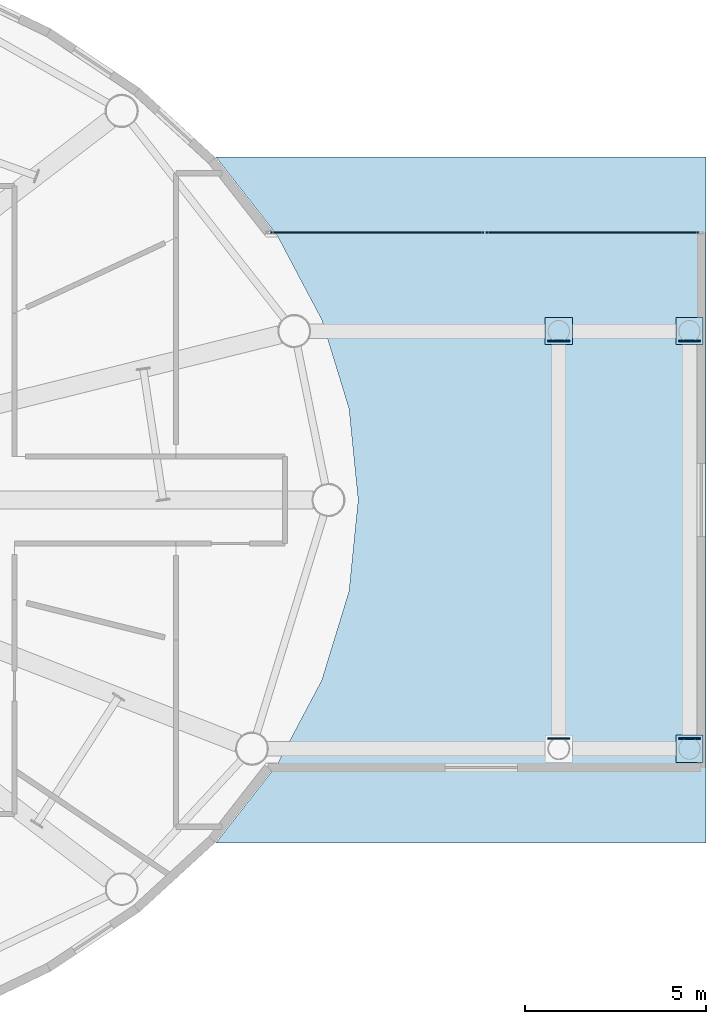
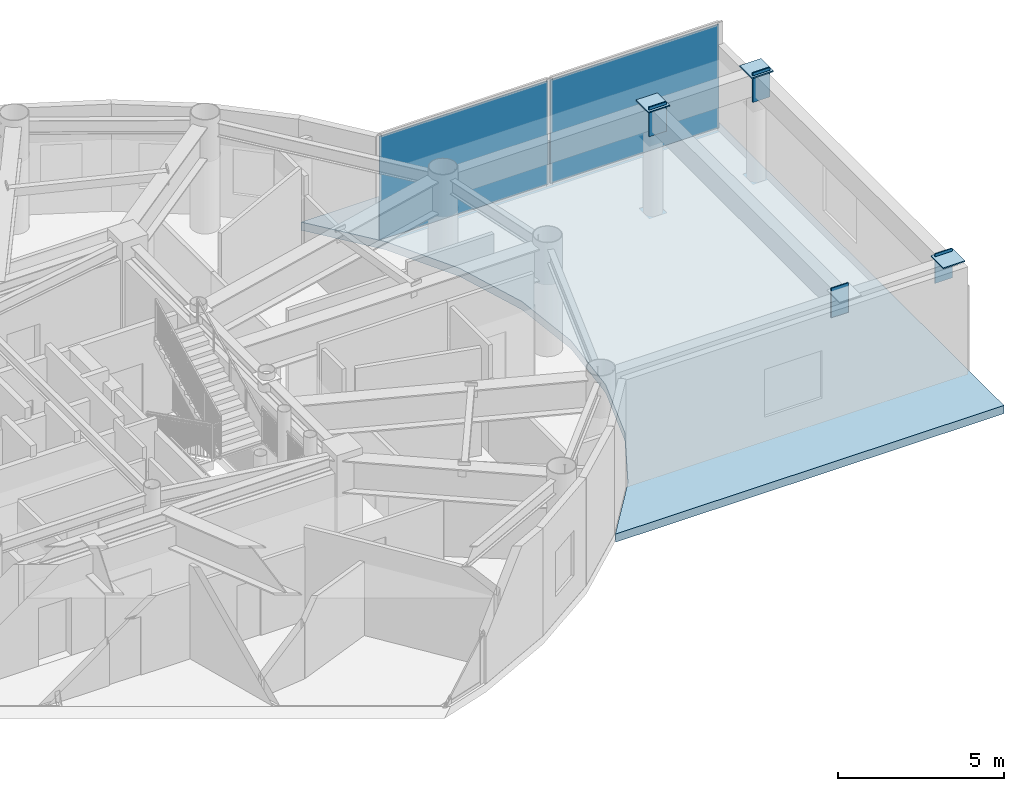
# One storey, part 14 of 26: 9 plates, 1 slab, 1 element without a shape of its own.
"""IFC4 building model written with IfcOpenShell, lengths in metres."""

import ifcopenshell
import ifcopenshell.guid

model = None  # the IFC model being written
_history = None  # IfcOwnerHistory: only IFC2X3 demands one
_inside = {}  # id of a spatial element -> (the spatial element, [elements in it])
_under = {}  # id of a project, library or spatial element -> (it, [spatial elements below it])
_declared = {}  # id of a project -> (the project, [libraries it declares])
_typed = {}  # id of a type object -> (the type object, [elements of that type])
_made_of = {}  # id of a material, layer set ... -> (it, [elements and type objects made of it])


def new_model(schema):
    """Start an empty IFC model of exactly this schema.

    Asked for "IFC4X3", IfcOpenShell would pick the latest addendum, in which some entities
    have other attributes; the version numbers below select the first issue.
    IFC2X3 requires an IfcOwnerHistory on every rooted entity: one is made here for all.
    """
    global model, _history
    if schema == "IFC4X3":
        model = ifcopenshell.file(schema_version=(4, 3, 0, 0))
    else:
        model = ifcopenshell.file(schema=schema)
    _inside.clear()
    _under.clear()
    _declared.clear()
    _typed.clear()
    _made_of.clear()
    _history = None
    if model.schema == "IFC2X3":
        org = make("IfcOrganization", Name="unknown")
        user = make(
            "IfcPersonAndOrganization",
            ThePerson=make("IfcPerson", FamilyName="unknown"),
            TheOrganization=org,
        )
        app = make(
            "IfcApplication",
            ApplicationDeveloper=org,
            Version="unknown",
            ApplicationFullName="unknown",
            ApplicationIdentifier="unknown",
        )
        _history = make(
            "IfcOwnerHistory",
            OwningUser=user,
            OwningApplication=app,
            ChangeAction="ADDED",
            CreationDate=0,
        )
    return model


def make(cls, **values):
    """One entity of the class cls with the attributes given. An attribute that is None is left unset."""
    return model.create_entity(
        cls, **{name: value for name, value in values.items() if value is not None}
    )


def rooted(cls, **values):
    """An entity with a GlobalId (a new one), such as an element, a storey or a relation."""
    return make(cls, GlobalId=ifcopenshell.guid.new(), OwnerHistory=_history, **values)


def si_unit(unit_type, name, prefix=None):
    """IfcSIUnit, for example si_unit("LENGTHUNIT", "METRE", prefix="MILLI")."""
    return make("IfcSIUnit", UnitType=unit_type, Prefix=prefix, Name=name)


def assignment(units):
    """IfcUnitAssignment: the units of a project."""
    return None if units is None else make("IfcUnitAssignment", Units=units)


def point(xyz):
    """IfcCartesianPoint."""
    return None if xyz is None else make("IfcCartesianPoint", Coordinates=xyz)


def direction(xyz):
    """IfcDirection."""
    return None if xyz is None else make("IfcDirection", DirectionRatios=xyz)


def frame(location, z_axis=None, x_axis=None):
    """IfcAxis2Placement3D, a coordinate frame: its origin and axes. An axis left out is left unset."""
    return make(
        "IfcAxis2Placement3D",
        Location=point(location),
        Axis=direction(z_axis),
        RefDirection=direction(x_axis),
    )


def frame_2d(location, x_axis=None):
    """IfcAxis2Placement2D, a coordinate frame in the plane: its origin and x axis."""
    return make(
        "IfcAxis2Placement2D", Location=point(location), RefDirection=direction(x_axis)
    )


def origin():
    """The frame at (0, 0, 0) with its axes left unset."""
    return frame((0.0, 0.0, 0.0))


def origin_2d():
    """The frame at (0, 0) in the plane with its x axis left unset."""
    return frame_2d((0.0, 0.0))


def place(relative_to, where):
    """IfcLocalPlacement: puts the frame where relative to a parent placement (None: the world)."""
    return make(
        "IfcLocalPlacement", PlacementRelTo=relative_to, RelativePlacement=where
    )


def context(
    kind, dimensions, precision=None, world=None, true_north=None, identifier=None
):
    """IfcGeometricRepresentationContext, for example the 3D "Model" context."""
    return make(
        "IfcGeometricRepresentationContext",
        ContextIdentifier=identifier,
        ContextType=kind,
        CoordinateSpaceDimension=dimensions,
        Precision=precision,
        WorldCoordinateSystem=world,
        TrueNorth=true_north,
    )


def subcontext(parent, identifier, kind, view, scale=None):
    """IfcGeometricRepresentationSubContext, for example "Body" below "Model"."""
    return make(
        "IfcGeometricRepresentationSubContext",
        ContextIdentifier=identifier,
        ContextType=kind,
        ParentContext=parent,
        TargetScale=scale,
        TargetView=view,
    )


def project(units=None, contexts=None):
    """IfcProject with its units and contexts."""
    return rooted(
        "IfcProject",
        Name="project",
        RepresentationContexts=contexts,
        UnitsInContext=assignment(units),
    )


def spatial(cls, under=None, at=None, **own):
    """A site, building, storey or space (cls), placed at a placement, below another one or the project."""
    s = rooted(cls, ObjectPlacement=at, **own)
    if under is not None:
        _under.setdefault(under.id(), (under, []))[1].append(s)
    return s


def polyline(points):
    """IfcPolyline through the points."""
    return make("IfcPolyline", Points=[point(p) for p in points])


def profile(cls, at=None, kind="AREA", **sizes):
    """A parametric profile (cls). Its sizes go by their IFC names, for example OverallWidth=200.0."""
    return make(cls, ProfileType=kind, Position=at, **sizes)


def rectangle(**sizes):
    """IfcRectangleProfileDef."""
    return profile("IfcRectangleProfileDef", **sizes)


def outline(outer, holes=None, kind="AREA"):
    """IfcArbitraryClosedProfileDef: a profile drawn as a closed curve; with holes, ...WithVoids."""
    if holes is None:
        return make("IfcArbitraryClosedProfileDef", ProfileType=kind, OuterCurve=outer)
    return make(
        "IfcArbitraryProfileDefWithVoids",
        ProfileType=kind,
        OuterCurve=outer,
        InnerCurves=holes,
    )


def extrude(swept, where, along, depth):
    """IfcExtrudedAreaSolid: the profile swept, set in the frame where, extruded along a direction by depth."""
    return make(
        "IfcExtrudedAreaSolid",
        SweptArea=swept,
        Position=where,
        ExtrudedDirection=direction(along),
        Depth=depth,
    )


def shape(context_of_items, identifier, shape_type, items):
    """IfcShapeRepresentation: the items that make up one representation, for example the "Body"."""
    return make(
        "IfcShapeRepresentation",
        ContextOfItems=context_of_items,
        RepresentationIdentifier=identifier,
        RepresentationType=shape_type,
        Items=items,
    )


def source(mapping_origin, context_of_items, identifier, shape_type, items):
    """IfcRepresentationMap: a shape defined once, which mapped items show again and again."""
    return make(
        "IfcRepresentationMap",
        MappingOrigin=mapping_origin,
        MappedRepresentation=shape(context_of_items, identifier, shape_type, items),
    )


def transform(
    local_origin,
    x_axis=None,
    y_axis=None,
    z_axis=None,
    scale=None,
    scale2=None,
    scale3=None,
    uniform=True,
):
    """IfcCartesianTransformationOperator3D, or its non-uniform kind. x_axis, y_axis, z_axis: its Axis1, 2, 3."""
    if uniform:
        return make(
            "IfcCartesianTransformationOperator3D",
            Axis1=direction(x_axis),
            Axis2=direction(y_axis),
            LocalOrigin=point(local_origin),
            Scale=scale,
            Axis3=direction(z_axis),
        )
    return make(
        "IfcCartesianTransformationOperator3DnonUniform",
        Axis1=direction(x_axis),
        Axis2=direction(y_axis),
        LocalOrigin=point(local_origin),
        Scale=scale,
        Axis3=direction(z_axis),
        Scale2=scale2,
        Scale3=scale3,
    )


def mapped(mapping_source, mapping_target):
    """IfcMappedItem: shows the shape of a source again, moved by a transform."""
    return make(
        "IfcMappedItem", MappingSource=mapping_source, MappingTarget=mapping_target
    )


def material(Name=None, Category=None):
    """IfcMaterial."""
    return make("IfcMaterial", Name=Name, Category=Category)


def layer(
    of_material, thickness, ventilated=None, Name=None, Category=None, Priority=None
):
    """IfcMaterialLayer: one layer of a wall or slab, of a material (None: an air gap)."""
    return make(
        "IfcMaterialLayer",
        Material=of_material,
        LayerThickness=thickness,
        IsVentilated=ventilated,
        Name=Name,
        Category=Category,
        Priority=Priority,
    )


def layer_set(layers, Name=None):
    """IfcMaterialLayerSet."""
    return make("IfcMaterialLayerSet", MaterialLayers=layers, LayerSetName=Name)


def made_of(thing, what):
    """Note that an element or type object is made of a material, layer set ...; save() writes the relation."""
    if what is not None:
        _made_of.setdefault(what.id(), (what, []))[1].append(thing)
    return thing


def type_object(cls, material=None, **own):
    """A type object (cls), such as IfcWallType, which elements share."""
    return made_of(rooted(cls, **own), material)


def element(
    cls,
    number,
    at=None,
    inside=None,
    cuts=None,
    type_object=None,
    material=None,
    context=None,
    identifier="Body",
    shape_type=None,
    held_by="IfcProductDefinitionShape",
    body=None,
    shapes=None,
    **own,
):
    """One element of the class cls, such as IfcWall. Its Tag is "e" and its number.

    at: its placement. inside: the storey or other place that contains it. cuts: it is an
    opening in that element (IfcRelVoidsElement). A single representation is given by context,
    identifier, shape_type and body (its items); several are given by shapes. held_by: the class
    of the entity that holds the representations. save() writes the other relations.
    """
    e = rooted(cls, Tag="e%d" % number, ObjectPlacement=at, **own)
    if body is not None:
        shapes = [shape(context, identifier, shape_type, body)]
    if shapes is not None:
        e.Representation = make(held_by, Representations=shapes)
    if inside is not None:
        _inside.setdefault(inside.id(), (inside, []))[1].append(e)
    if cuts is not None:
        rooted(
            "IfcRelVoidsElement", RelatingBuildingElement=cuts, RelatedOpeningElement=e
        )
    if type_object is not None:
        _typed.setdefault(type_object.id(), (type_object, []))[1].append(e)
    return made_of(e, material)


def aggregate(whole, parts):
    """IfcRelAggregates: a whole, such as a stair, and the parts it consists of."""
    return rooted("IfcRelAggregates", RelatingObject=whole, RelatedObjects=parts)


def save(model, path):
    """Write the relations noted so far, then the file.

    IfcRelAggregates (storeys below a building ...), IfcRelContainedInSpatialStructure (elements
    in a storey), IfcRelDefinesByType, IfcRelAssociatesMaterial and IfcRelDeclares: one each for
    every whole, place, type object, material and project.
    """
    for whole, parts in _under.values():
        aggregate(whole, parts)
    for where, things in _inside.values():
        rooted(
            "IfcRelContainedInSpatialStructure",
            RelatedElements=things,
            RelatingStructure=where,
        )
    for kind, things in _typed.values():
        rooted("IfcRelDefinesByType", RelatedObjects=things, RelatingType=kind)
    for what, things in _made_of.values():
        rooted("IfcRelAssociatesMaterial", RelatedObjects=things, RelatingMaterial=what)
    for by, libraries in _declared.values():
        rooted("IfcRelDeclares", RelatingContext=by, RelatedDefinitions=libraries)
    model.write(path)


model = new_model("IFC4")

# Units and contexts
model_context = context("Model", 3, precision=1e-05, world=origin(), true_north=direction((0.0, 1.0)))
body_context = subcontext(model_context, "Body", "Model", "MODEL_VIEW")
ifc_project = project(units=[si_unit("LENGTHUNIT", "METRE"), si_unit("AREAUNIT", "SQUARE_METRE"), si_unit("VOLUMEUNIT", "CUBIC_METRE"), si_unit("PLANEANGLEUNIT", "RADIAN"), si_unit("MASSUNIT", "GRAM", prefix="KILO")], contexts=[model_context])

# Site, building, storey
site_placement = place(None, origin())
site = spatial("IfcSite", under=ifc_project, at=site_placement, CompositionType="ELEMENT")
building_placement = place(site_placement, origin())
building = spatial("IfcBuilding", under=site, at=building_placement, Name="Linh Dai School and Residence Tower", CompositionType="ELEMENT")
storey_placement = place(building_placement, frame((0.0, 0.0, 351.0)))
storey = spatial("IfcBuildingStorey", under=building, at=storey_placement, Name="L87", CompositionType="ELEMENT", Elevation=351.0)

# Slab
ifc_material_1 = material(Name="Concrete B45 (C35/45)", Category="concrete")
ifc_layer_1 = layer(ifc_material_1, 0.300048828125)
ifc_layer_set_1 = layer_set([ifc_layer_1], Name="Concrete B45 (C35/45)")
slab_type = type_object("IfcSlabType", Name="SLB-FLR300", PredefinedType="FLOOR", material=ifc_layer_set_1)
slab_placement = place(storey_placement, frame((0.0, 0.0, -0.300048828125)))
element("IfcSlab", 1, at=slab_placement, inside=storey, type_object=slab_type, Name="L87 Cantilevered East Sky Lounge Floor Slab", PredefinedType="FLOOR", context=body_context, shape_type="SweptSolid", body=[
    extrude(outline(polyline([(52.60107421875, 17.55126953125), (66.10009765625, 17.55126953125), (66.10009765625, 36.44873046875), (52.60107421875, 36.44873046875), (54.283447265625, 34.2978515625), (55.515625, 31.967529296875), (56.267333984375, 29.5146484375), (56.52001953125, 27.0), (56.267333984375, 24.4853515625), (55.515625, 22.032470703125), (54.283447265625, 19.7021484375), (52.60107421875, 17.55126953125), (52.60107421875, 17.55126953125)])), origin(), (0.0, 0.0, 1.0), 0.300048828125),
])

# Plates
ifc_material_2 = material(Name="Structural Steel S355JR", Category="steel")
ifc_layer_2 = layer(ifc_material_2, 0.0400390625)
ifc_layer_set_2 = layer_set([ifc_layer_2], Name="Structural Steel S355JR")
plate_type_1 = type_object("IfcPlateType", Name="PLT-GP1", PredefinedType="USERDEFINED", material=ifc_layer_set_2)
shared_shape_1 = source(origin(), body_context, "Body", "SweptSolid", [
    extrude(rectangle(XDim=0.75, YDim=0.75, at=origin_2d()), origin(), (0.0, 0.0, 1.0), 0.0400390625),
])
for number, where, z_axis, x_axis, name in (
    (2, (65.64990234375, 20.1474609375, 3.949951171875), (0.0, 0.0, 1.0), (1.0, 0.0, 0.0), "L87 SLC3 Sky-Lounge Column Cap Plate"),
    (3, (62.050048828125, 31.65478515625, 3.949951171875), (0.0, 0.0, 1.0), (1.0, 0.0, 0.0), "L87 SLC2 Sky-Lounge Column Cap Plate"),
    (4, (65.64990234375, 31.65478515625, 3.949951171875), (0.0, 0.0, 1.0), (1.0, 0.0, 0.0), "L87 SLC4 Sky-Lounge Column Cap Plate"),
):
    element("IfcPlate", number, at=place(storey_placement, frame(where, z_axis=z_axis, x_axis=x_axis)), inside=storey, type_object=plate_type_1, Name=name, ObjectType="GUSSET PLATE", PredefinedType="USERDEFINED", context=body_context, shape_type="MappedRepresentation", body=[
        mapped(shared_shape_1, transform((0.0, 0.0, 0.0), x_axis=(1.0, 0.0, 0.0), y_axis=(0.0, 1.0, 0.0), z_axis=(0.0, 0.0, 1.0), scale=1.0)),
    ])
shared_shape_2 = source(origin(), body_context, "Body", "SweptSolid", [
    extrude(rectangle(XDim=0.60009765625, YDim=0.0400390625, at=origin_2d()), origin(), (0.0, 0.0, 1.0), 1.080078125),
])
for number, where, z_axis, x_axis, name in (
    (5, (62.050048828125, 20.42236328125, 3.010009765625), (0.0, 0.0, 1.0), (1.0, 0.0, 0.0), "L87 Sky-Lounge Transverse Girder End Plate MID-S"),
    (6, (62.050048828125, 31.379638671875, 3.010009765625), (0.0, 0.0, 1.0), (1.0, 0.0, 0.0), "L87 Sky-Lounge Transverse Girder End Plate MID-N"),
    (7, (65.64990234375, 20.42236328125, 3.010009765625), (0.0, 0.0, 1.0), (1.0, 0.0, 0.0), "L87 Sky-Lounge Transverse Girder End Plate TIP-S"),
    (8, (65.64990234375, 31.379638671875, 3.010009765625), (0.0, 0.0, 1.0), (1.0, 0.0, 0.0), "L87 Sky-Lounge Transverse Girder End Plate TIP-N"),
):
    element("IfcPlate", number, at=place(storey_placement, frame(where, z_axis=z_axis, x_axis=x_axis)), inside=storey, type_object=plate_type_1, Name=name, ObjectType="GUSSET PLATE", PredefinedType="USERDEFINED", context=body_context, shape_type="MappedRepresentation", body=[
        mapped(shared_shape_2, transform((0.0, 0.0, 0.0), x_axis=(1.0, 0.0, 0.0), y_axis=(0.0, 1.0, 0.0), z_axis=(0.0, 0.0, 1.0), scale=1.0)),
    ])

# Curtain wall, plates
ifc_material_3 = material(Name="Aluminium Anodised Curtain Wall", Category="aluminium")
ifc_layer_3 = layer(ifc_material_3, 0.199951171875)
ifc_layer_set_3 = layer_set([ifc_layer_3], Name="Aluminium Anodised Curtain Wall")
curtain_wall_type = type_object("IfcCurtainWallType", Name="CW-SYS-6", PredefinedType="USERDEFINED", material=ifc_layer_set_3)
curtain_wall_placement = place(storey_placement, origin())
curtain_wall = element("IfcCurtainWall", 9, at=curtain_wall_placement, inside=storey, type_object=curtain_wall_type, Name="L87 CW6 Curtain Wall 03", ObjectType="UNITISED CURTAIN WALL", PredefinedType="USERDEFINED")
ifc_material_4 = material(Name="Double Low-E Insulated Glazing", Category="glass")
ifc_layer_4 = layer(ifc_material_4, 0.035888671875)
ifc_layer_set_4 = layer_set([ifc_layer_4], Name="Double Low-E Insulated Glazing")
plate_type_2 = type_object("IfcPlateType", Name="CW-SYS-6-PAN", PredefinedType="CURTAIN_PANEL", material=ifc_layer_set_4)
shared_shape_3 = source(origin(), body_context, "Body", "SweptSolid", [
    extrude(rectangle(XDim=5.85498046875, YDim=0.035888671875, at=origin_2d()), origin(), (0.0, 0.0, 1.0), 3.800048828125),
])
plate_1_placement = place(storey_placement, frame((57.04248046875, 34.375, 0.0751953125), z_axis=(0.0, 0.0, 1.0), x_axis=(1.0, 0.0, 0.0)))
plate_1 = element("IfcPlate", 10, at=plate_1_placement, type_object=plate_type_2, Name="CW6 panel 1.1", PredefinedType="CURTAIN_PANEL", context=body_context, shape_type="MappedRepresentation", body=[
    mapped(shared_shape_3, transform((0.0, 0.0, 0.0), x_axis=(1.0, 0.0, 0.0), y_axis=(0.0, 1.0, 0.0), z_axis=(0.0, 0.0, 1.0), scale=1.0)),
])
plate_2_placement = place(storey_placement, frame((62.972412109375, 34.375, 0.0751953125), z_axis=(0.0, 0.0, 1.0), x_axis=(1.0, 0.0, 0.0)))
plate_2 = element("IfcPlate", 11, at=plate_2_placement, type_object=plate_type_2, Name="CW6 panel 2.1", PredefinedType="CURTAIN_PANEL", context=body_context, shape_type="MappedRepresentation", body=[
    mapped(shared_shape_3, transform((0.0, 0.0, 0.0), x_axis=(1.0, 0.0, 0.0), y_axis=(0.0, 1.0, 0.0), z_axis=(0.0, 0.0, 1.0), scale=1.0)),
])
aggregate(curtain_wall, [plate_1, plate_2])

save(model, "model.ifc")
